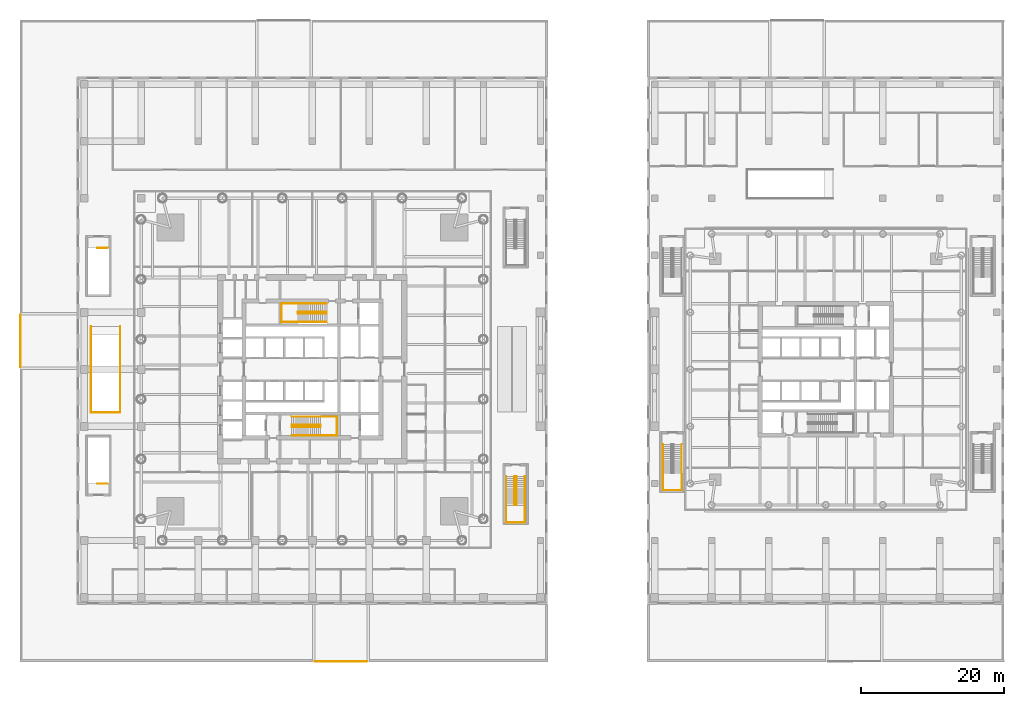
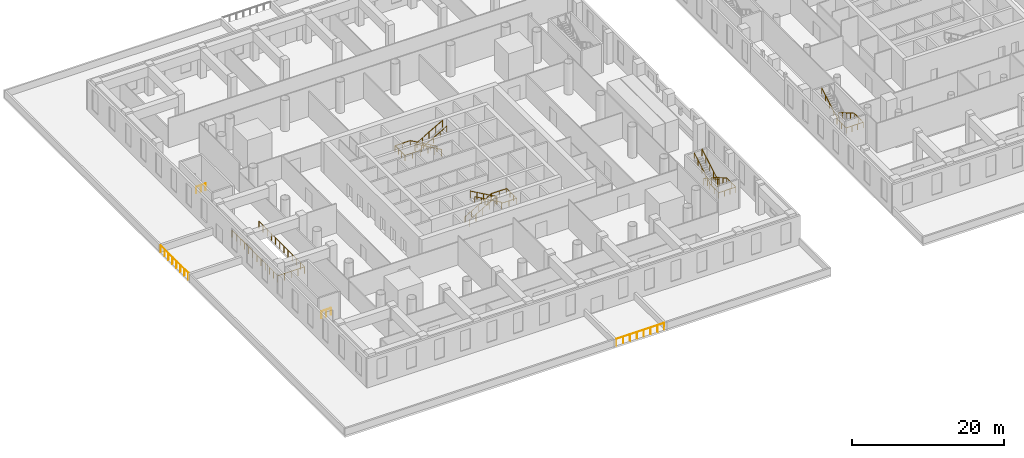
# One storey, part 23 of 26: 12 railings.
"""IFC4 building model written with IfcOpenShell, lengths in metres."""

from ifc_helpers import new_model, si_unit, direction, frame, origin, origin_2d, place, context, subcontext, project, spatial, circle, extrude, material, type_object, element, save


model = new_model("IFC4")

# Units and contexts
model_context = context("Model", 3, precision=1e-05, world=origin(), true_north=direction((0.0, 1.0)))
body_context = subcontext(model_context, "Body", "Model", "MODEL_VIEW")
ifc_project = project(units=[si_unit("LENGTHUNIT", "METRE"), si_unit("AREAUNIT", "SQUARE_METRE"), si_unit("VOLUMEUNIT", "CUBIC_METRE"), si_unit("PLANEANGLEUNIT", "RADIAN"), si_unit("MASSUNIT", "GRAM", prefix="KILO")], contexts=[model_context])

# Site, building, storey
site_placement = place(None, origin())
site = spatial("IfcSite", under=ifc_project, at=site_placement, CompositionType="ELEMENT")
building_placement = place(site_placement, origin())
building = spatial("IfcBuilding", under=site, at=building_placement, Name="Ostroluk Exchange", CompositionType="ELEMENT")
storey_placement = place(building_placement, frame((0.0, 0.0, 6.0)))
storey = spatial("IfcBuildingStorey", under=building, at=storey_placement, Name="L01", CompositionType="ELEMENT", Elevation=6.0)

# Railings
ifc_material_1 = material(Name="Laminated glass", Category="glass")
railing_type_1 = type_object("IfcRailingType", Name="Glass balustrade guard 1100", PredefinedType="BALUSTRADE", material=ifc_material_1)
railing_1_placement = place(storey_placement, frame((13.949951171875, 52.0, 0.0)))
element("IfcRailing", 1, at=railing_1_placement, inside=storey, type_object=railing_type_1, Name="Escalator ES2 opening guard", PredefinedType="BALUSTRADE", context=body_context, shape_type="SweptSolid", body=[
    extrude(circle(Radius=0.02392578125, at=origin_2d()), frame((0.0, 0.0, 1.076171875), z_axis=(0.0, -1.0, 0.0), x_axis=(1.0, 0.0, 0.0)), (0.0, 0.0, 1.0), 12.050048828125),
    extrude(circle(Radius=0.02392578125, at=origin_2d()), frame((0.0, -12.050048828125, 1.076171875), z_axis=(1.0, 0.0, 0.0), x_axis=(0.0, 1.0, 0.0)), (0.0, 0.0, 1.0), 4.10009765625),
    extrude(circle(Radius=0.02392578125, at=origin_2d()), frame((4.10009765625, -12.050048828125, 1.076171875), z_axis=(0.0, 1.0, 0.0), x_axis=(-1.0, 0.0, 0.0)), (0.0, 0.0, 1.0), 12.050048828125),
    extrude(circle(Radius=0.02099609375, at=origin_2d()), origin(), (0.0, 0.0, 1.0), 1.052001953125),
    extrude(circle(Radius=0.02099609375, at=origin_2d()), frame((0.0, -1.095458984375, 0.0)), (0.0, 0.0, 1.0), 1.052001953125),
    extrude(circle(Radius=0.02099609375, at=origin_2d()), frame((0.0, -2.19091796875, 0.0)), (0.0, 0.0, 1.0), 1.052001953125),
    extrude(circle(Radius=0.02099609375, at=origin_2d()), frame((0.0, -3.286376953125, 0.0)), (0.0, 0.0, 1.0), 1.052001953125),
    extrude(circle(Radius=0.02099609375, at=origin_2d()), frame((0.0, -4.3818359375, 0.0)), (0.0, 0.0, 1.0), 1.052001953125),
    extrude(circle(Radius=0.02099609375, at=origin_2d()), frame((0.0, -5.477294921875, 0.0)), (0.0, 0.0, 1.0), 1.052001953125),
    extrude(circle(Radius=0.02099609375, at=origin_2d()), frame((0.0, -6.57275390625, 0.0)), (0.0, 0.0, 1.0), 1.052001953125),
    extrude(circle(Radius=0.02099609375, at=origin_2d()), frame((0.0, -7.668212890625, 0.0)), (0.0, 0.0, 1.0), 1.052001953125),
    extrude(circle(Radius=0.02099609375, at=origin_2d()), frame((0.0, -8.763671875, 0.0)), (0.0, 0.0, 1.0), 1.052001953125),
    extrude(circle(Radius=0.02099609375, at=origin_2d()), frame((0.0, -9.859130859375, 0.0)), (0.0, 0.0, 1.0), 1.052001953125),
    extrude(circle(Radius=0.02099609375, at=origin_2d()), frame((0.0, -10.95458984375, 0.0)), (0.0, 0.0, 1.0), 1.052001953125),
    extrude(circle(Radius=0.02099609375, at=origin_2d()), frame((0.0, -12.050048828125, 0.0)), (0.0, 0.0, 1.0), 1.052001953125),
    extrude(circle(Radius=0.02099609375, at=origin_2d()), frame((1.02490234375, -12.050048828125, 0.0)), (0.0, 0.0, 1.0), 1.052001953125),
    extrude(circle(Radius=0.02099609375, at=origin_2d()), frame((2.050048828125, -12.050048828125, 0.0)), (0.0, 0.0, 1.0), 1.052001953125),
    extrude(circle(Radius=0.02099609375, at=origin_2d()), frame((3.0751953125, -12.050048828125, 0.0)), (0.0, 0.0, 1.0), 1.052001953125),
    extrude(circle(Radius=0.02099609375, at=origin_2d()), frame((4.10009765625, -12.050048828125, 0.0)), (0.0, 0.0, 1.0), 1.052001953125),
    extrude(circle(Radius=0.02099609375, at=origin_2d()), frame((4.10009765625, -10.95458984375, 0.0)), (0.0, 0.0, 1.0), 1.052001953125),
    extrude(circle(Radius=0.02099609375, at=origin_2d()), frame((4.10009765625, -9.859130859375, 0.0)), (0.0, 0.0, 1.0), 1.052001953125),
    extrude(circle(Radius=0.02099609375, at=origin_2d()), frame((4.10009765625, -8.763671875, 0.0)), (0.0, 0.0, 1.0), 1.052001953125),
    extrude(circle(Radius=0.02099609375, at=origin_2d()), frame((4.10009765625, -7.668212890625, 0.0)), (0.0, 0.0, 1.0), 1.052001953125),
    extrude(circle(Radius=0.02099609375, at=origin_2d()), frame((4.10009765625, -6.57275390625, 0.0)), (0.0, 0.0, 1.0), 1.052001953125),
    extrude(circle(Radius=0.02099609375, at=origin_2d()), frame((4.10009765625, -5.477294921875, 0.0)), (0.0, 0.0, 1.0), 1.052001953125),
    extrude(circle(Radius=0.02099609375, at=origin_2d()), frame((4.10009765625, -4.3818359375, 0.0)), (0.0, 0.0, 1.0), 1.052001953125),
    extrude(circle(Radius=0.02099609375, at=origin_2d()), frame((4.10009765625, -3.286376953125, 0.0)), (0.0, 0.0, 1.0), 1.052001953125),
    extrude(circle(Radius=0.02099609375, at=origin_2d()), frame((4.10009765625, -2.19091796875, 0.0)), (0.0, 0.0, 1.0), 1.052001953125),
    extrude(circle(Radius=0.02099609375, at=origin_2d()), frame((4.10009765625, -1.095458984375, 0.0)), (0.0, 0.0, 1.0), 1.052001953125),
    extrude(circle(Radius=0.02099609375, at=origin_2d()), frame((4.10009765625, 0.0, 0.0)), (0.0, 0.0, 1.0), 1.052001953125),
])
ifc_material_2 = material(Name="Stainless steel", Category="steel")
railing_type_2 = type_object("IfcRailingType", Name="Guard 1100 stainless steel", PredefinedType="GUARDRAIL", material=ifc_material_2)
railing_2_placement = place(storey_placement, frame((4.050048828125, 46.35205078125, 0.0)))
element("IfcRailing", 2, at=railing_2_placement, inside=storey, type_object=railing_type_2, Name="Terrace guard L01 1.1", PredefinedType="GUARDRAIL", context=body_context, shape_type="SweptSolid", body=[
    extrude(circle(Radius=0.02392578125, at=origin_2d()), frame((0.0, 0.0, 1.076171875), z_axis=(0.0, 1.0, 0.0), x_axis=(-1.0, 0.0, 0.0)), (0.0, 0.0, 1.0), 7.2958984375),
    extrude(circle(Radius=0.02099609375, at=origin_2d()), origin(), (0.0, 0.0, 1.0), 1.052001953125),
    extrude(circle(Radius=0.02099609375, at=origin_2d()), frame((0.0, 1.042236328125, 0.0)), (0.0, 0.0, 1.0), 1.052001953125),
    extrude(circle(Radius=0.02099609375, at=origin_2d()), frame((0.0, 2.08447265625, 0.0)), (0.0, 0.0, 1.0), 1.052001953125),
    extrude(circle(Radius=0.02099609375, at=origin_2d()), frame((0.0, 3.126708984375, 0.0)), (0.0, 0.0, 1.0), 1.052001953125),
    extrude(circle(Radius=0.02099609375, at=origin_2d()), frame((0.0, 4.169189453125, 0.0)), (0.0, 0.0, 1.0), 1.052001953125),
    extrude(circle(Radius=0.02099609375, at=origin_2d()), frame((0.0, 5.21142578125, 0.0)), (0.0, 0.0, 1.0), 1.052001953125),
    extrude(circle(Radius=0.02099609375, at=origin_2d()), frame((0.0, 6.253662109375, 0.0)), (0.0, 0.0, 1.0), 1.052001953125),
    extrude(circle(Radius=0.02099609375, at=origin_2d()), frame((0.0, 7.2958984375, 0.0)), (0.0, 0.0, 1.0), 1.052001953125),
])
railing_3_placement = place(storey_placement, frame((52.64794921875, 5.050048828125, 0.0)))
element("IfcRailing", 3, at=railing_3_placement, inside=storey, type_object=railing_type_2, Name="Terrace guard L01 1.1", PredefinedType="GUARDRAIL", context=body_context, shape_type="SweptSolid", body=[
    extrude(circle(Radius=0.02392578125, at=origin_2d()), frame((0.0, 0.0, 1.076171875), z_axis=(-1.0, 0.0, 0.0), x_axis=(0.0, -1.0, 0.0)), (0.0, 0.0, 1.0), 7.2958984375),
    extrude(circle(Radius=0.02099609375, at=origin_2d()), origin(), (0.0, 0.0, 1.0), 1.052001953125),
    extrude(circle(Radius=0.02099609375, at=origin_2d()), frame((-1.042236328125, 0.0, 0.0)), (0.0, 0.0, 1.0), 1.052001953125),
    extrude(circle(Radius=0.02099609375, at=origin_2d()), frame((-2.08447265625, 0.0, 0.0)), (0.0, 0.0, 1.0), 1.052001953125),
    extrude(circle(Radius=0.02099609375, at=origin_2d()), frame((-3.126708984375, 0.0, 0.0)), (0.0, 0.0, 1.0), 1.052001953125),
    extrude(circle(Radius=0.02099609375, at=origin_2d()), frame((-4.169189453125, 0.0, 0.0)), (0.0, 0.0, 1.0), 1.052001953125),
    extrude(circle(Radius=0.02099609375, at=origin_2d()), frame((-5.21142578125, 0.0, 0.0)), (0.0, 0.0, 1.0), 1.052001953125),
    extrude(circle(Radius=0.02099609375, at=origin_2d()), frame((-6.253662109375, 0.0, 0.0)), (0.0, 0.0, 1.0), 1.052001953125),
    extrude(circle(Radius=0.02099609375, at=origin_2d()), frame((-7.2958984375, 0.0, 0.0)), (0.0, 0.0, 1.0), 1.052001953125),
])
ifc_material_3 = material(Name="Steel S355", Category="steel")
railing_type_3 = type_object("IfcRailingType", Name="Stair guard 1100", PredefinedType="GUARDRAIL", material=ifc_material_3)
railing_4_placement = place(storey_placement, frame((42.10009765625, 38.179931640625, 0.166748046875)))
element("IfcRailing", 4, at=railing_4_placement, inside=storey, type_object=railing_type_3, Name="Stair T1-S1 guard L01", PredefinedType="GUARDRAIL", context=body_context, shape_type="SweptSolid", body=[
    extrude(circle(Radius=0.02392578125, at=origin_2d()), frame((0.0, 0.0, 1.076171875), z_axis=(0.86701161382, 0.0, 0.498287930319), x_axis=(0.0, 1.0, 0.0)), (0.0, 0.0, 1.0), 4.6826171875),
    extrude(circle(Radius=0.02392578125, at=origin_2d()), frame((4.059814453125, 0.0, 3.4091796875), z_axis=(0.0, -1.0, 0.0), x_axis=(1.0, 0.0, 0.0)), (0.0, 0.0, 1.0), 0.260009765625),
    extrude(circle(Radius=0.02392578125, at=origin_2d()), frame((4.059814453125, -0.260009765625, 3.4091796875), z_axis=(0.0, 0.0, 1.0), x_axis=(1.0, 0.0, 0.0)), (0.0, 0.0, 1.0), 0.166748046875),
    extrude(circle(Radius=0.02392578125, at=origin_2d()), frame((4.059814453125, -0.260009765625, 3.576171875), z_axis=(-0.86701161382, 0.0, 0.498287930319), x_axis=(0.0, -1.0, 0.0)), (0.0, 0.0, 1.0), 4.6826171875),
    extrude(circle(Radius=0.02099609375, at=origin_2d()), origin(), (0.0, 0.0, 1.0), 1.052001953125),
    extrude(circle(Radius=0.02099609375, at=origin_2d()), frame((1.014892578125, 0.0, 0.583251953125)), (0.0, 0.0, 1.0), 1.052001953125),
    extrude(circle(Radius=0.02099609375, at=origin_2d()), frame((2.02978515625, 0.0, 1.16650390625)), (0.0, 0.0, 1.0), 1.052001953125),
    extrude(circle(Radius=0.02099609375, at=origin_2d()), frame((3.044921875, 0.0, 1.75)), (0.0, 0.0, 1.0), 1.052001953125),
    extrude(circle(Radius=0.02099609375, at=origin_2d()), frame((4.059814453125, 0.0, 2.333251953125)), (0.0, 0.0, 1.0), 1.052001953125),
    extrude(circle(Radius=0.02099609375, at=origin_2d()), frame((4.059814453125, -0.260009765625, 2.333251953125)), (0.0, 0.0, 1.0), 1.052001953125),
    extrude(circle(Radius=0.02099609375, at=origin_2d()), frame((4.059814453125, -0.260009765625, 2.5)), (0.0, 0.0, 1.0), 1.052001953125),
    extrude(circle(Radius=0.02099609375, at=origin_2d()), frame((3.044921875, -0.260009765625, 3.083251953125)), (0.0, 0.0, 1.0), 1.052001953125),
    extrude(circle(Radius=0.02099609375, at=origin_2d()), frame((2.02978515625, -0.260009765625, 3.66650390625)), (0.0, 0.0, 1.0), 1.052001953125),
    extrude(circle(Radius=0.02099609375, at=origin_2d()), frame((1.014892578125, -0.260009765625, 4.25)), (0.0, 0.0, 1.0), 1.052001953125),
    extrude(circle(Radius=0.02099609375, at=origin_2d()), frame((0.0, -0.260009765625, 4.833251953125)), (0.0, 0.0, 1.0), 1.052001953125),
])
railing_5_placement = place(storey_placement, frame((47.030029296875, 54.080078125, 0.166748046875)))
element("IfcRailing", 5, at=railing_5_placement, inside=storey, type_object=railing_type_3, Name="Stair T1-S2 guard L01", PredefinedType="GUARDRAIL", context=body_context, shape_type="SweptSolid", body=[
    extrude(circle(Radius=0.02392578125, at=origin_2d()), frame((0.0, 0.0, 1.076171875), z_axis=(-0.867024558463, 0.0, 0.498265406207), x_axis=(0.0, -1.0, 0.0)), (0.0, 0.0, 1.0), 4.682861328125),
    extrude(circle(Radius=0.02392578125, at=origin_2d()), frame((-4.06005859375, 0.0, 3.4091796875), z_axis=(0.0, -1.0, 0.0), x_axis=(1.0, 0.0, 0.0)), (0.0, 0.0, 1.0), 0.260009765625),
    extrude(circle(Radius=0.02392578125, at=origin_2d()), frame((-4.06005859375, -0.260009765625, 3.4091796875), z_axis=(0.0, 0.0, 1.0), x_axis=(1.0, 0.0, 0.0)), (0.0, 0.0, 1.0), 0.166748046875),
    extrude(circle(Radius=0.02392578125, at=origin_2d()), frame((-4.06005859375, -0.260009765625, 3.576171875), z_axis=(0.867024558463, 0.0, 0.498265406207), x_axis=(0.0, 1.0, 0.0)), (0.0, 0.0, 1.0), 4.682861328125),
    extrude(circle(Radius=0.02099609375, at=origin_2d()), origin(), (0.0, 0.0, 1.0), 1.052001953125),
    extrude(circle(Radius=0.02099609375, at=origin_2d()), frame((-1.01513671875, 0.0, 0.583251953125)), (0.0, 0.0, 1.0), 1.052001953125),
    extrude(circle(Radius=0.02099609375, at=origin_2d()), frame((-2.030029296875, 0.0, 1.16650390625)), (0.0, 0.0, 1.0), 1.052001953125),
    extrude(circle(Radius=0.02099609375, at=origin_2d()), frame((-3.044921875, 0.0, 1.75)), (0.0, 0.0, 1.0), 1.052001953125),
    extrude(circle(Radius=0.02099609375, at=origin_2d()), frame((-4.06005859375, 0.0, 2.333251953125)), (0.0, 0.0, 1.0), 1.052001953125),
    extrude(circle(Radius=0.02099609375, at=origin_2d()), frame((-4.06005859375, -0.260009765625, 2.333251953125)), (0.0, 0.0, 1.0), 1.052001953125),
    extrude(circle(Radius=0.02099609375, at=origin_2d()), frame((-4.06005859375, -0.260009765625, 2.5)), (0.0, 0.0, 1.0), 1.052001953125),
    extrude(circle(Radius=0.02099609375, at=origin_2d()), frame((-3.044921875, -0.260009765625, 3.083251953125)), (0.0, 0.0, 1.0), 1.052001953125),
    extrude(circle(Radius=0.02099609375, at=origin_2d()), frame((-2.030029296875, -0.260009765625, 3.66650390625)), (0.0, 0.0, 1.0), 1.052001953125),
    extrude(circle(Radius=0.02099609375, at=origin_2d()), frame((-1.01513671875, -0.260009765625, 4.25)), (0.0, 0.0, 1.0), 1.052001953125),
    extrude(circle(Radius=0.02099609375, at=origin_2d()), frame((0.0, -0.260009765625, 4.833251953125)), (0.0, 0.0, 1.0), 1.052001953125),
])
for number, where, name in (
    (6, (16.300048828125, 29.969970703125, 0.0), "Stair PS1 well guard L01"),
    (7, (16.300048828125, 63.030029296875, 0.0), "Stair PS2 well guard L01"),
):
    element("IfcRailing", number, at=place(storey_placement, frame(where)), inside=storey, type_object=railing_type_3, Name=name, PredefinedType="GUARDRAIL", context=body_context, shape_type="SweptSolid", body=[
        extrude(circle(Radius=0.02392578125, at=origin_2d()), frame((0.0, 0.0, 1.076171875), z_axis=(-1.0, 0.0, 0.0), x_axis=(0.0, -1.0, 0.0)), (0.0, 0.0, 1.0), 1.429931640625),
        extrude(circle(Radius=0.02099609375, at=origin_2d()), origin(), (0.0, 0.0, 1.0), 1.052001953125),
        extrude(circle(Radius=0.02099609375, at=origin_2d()), frame((-0.71484375, 0.0, 0.0)), (0.0, 0.0, 1.0), 1.052001953125),
        extrude(circle(Radius=0.02099609375, at=origin_2d()), frame((-1.429931640625, 0.0, 0.0)), (0.0, 0.0, 1.0), 1.052001953125),
    ])
railing_6_placement = place(storey_placement, frame((73.6298828125, 31.0, 0.166748046875)))
element("IfcRailing", 8, at=railing_6_placement, inside=storey, type_object=railing_type_3, Name="Stair PS3 guard L01", PredefinedType="GUARDRAIL", context=body_context, shape_type="SweptSolid", body=[
    extrude(circle(Radius=0.02392578125, at=origin_2d()), frame((0.0, 0.0, 1.076171875), z_axis=(0.0, -0.867024558463, 0.498265406207), x_axis=(1.0, 0.0, 0.0)), (0.0, 0.0, 1.0), 4.682861328125),
    extrude(circle(Radius=0.02392578125, at=origin_2d()), frame((0.0, -4.06005859375, 3.4091796875), z_axis=(-1.0, 0.0, 0.0), x_axis=(0.0, -1.0, 0.0)), (0.0, 0.0, 1.0), 0.259765625),
    extrude(circle(Radius=0.02392578125, at=origin_2d()), frame((-0.259765625, -4.06005859375, 3.4091796875), z_axis=(0.0, 0.0, 1.0), x_axis=(1.0, 0.0, 0.0)), (0.0, 0.0, 1.0), 0.166748046875),
    extrude(circle(Radius=0.02392578125, at=origin_2d()), frame((-0.259765625, -4.06005859375, 3.576171875), z_axis=(0.0, 0.867024558463, 0.498265406207), x_axis=(-1.0, 0.0, 0.0)), (0.0, 0.0, 1.0), 4.682861328125),
    extrude(circle(Radius=0.02099609375, at=origin_2d()), origin(), (0.0, 0.0, 1.0), 1.052001953125),
    extrude(circle(Radius=0.02099609375, at=origin_2d()), frame((0.0, -1.01513671875, 0.583251953125)), (0.0, 0.0, 1.0), 1.052001953125),
    extrude(circle(Radius=0.02099609375, at=origin_2d()), frame((0.0, -2.030029296875, 1.16650390625)), (0.0, 0.0, 1.0), 1.052001953125),
    extrude(circle(Radius=0.02099609375, at=origin_2d()), frame((0.0, -3.044921875, 1.75)), (0.0, 0.0, 1.0), 1.052001953125),
    extrude(circle(Radius=0.02099609375, at=origin_2d()), frame((0.0, -4.06005859375, 2.333251953125)), (0.0, 0.0, 1.0), 1.052001953125),
    extrude(circle(Radius=0.02099609375, at=origin_2d()), frame((-0.259765625, -4.06005859375, 2.333251953125)), (0.0, 0.0, 1.0), 1.052001953125),
    extrude(circle(Radius=0.02099609375, at=origin_2d()), frame((-0.259765625, -4.06005859375, 2.5)), (0.0, 0.0, 1.0), 1.052001953125),
    extrude(circle(Radius=0.02099609375, at=origin_2d()), frame((-0.259765625, -3.044921875, 3.083251953125)), (0.0, 0.0, 1.0), 1.052001953125),
    extrude(circle(Radius=0.02099609375, at=origin_2d()), frame((-0.259765625, -2.030029296875, 3.66650390625)), (0.0, 0.0, 1.0), 1.052001953125),
    extrude(circle(Radius=0.02099609375, at=origin_2d()), frame((-0.259765625, -1.01513671875, 4.25)), (0.0, 0.0, 1.0), 1.052001953125),
    extrude(circle(Radius=0.02099609375, at=origin_2d()), frame((-0.259765625, 0.0, 4.833251953125)), (0.0, 0.0, 1.0), 1.052001953125),
])
ifc_material_4 = material(Name="Stainless steel", Category="steel")
railing_type_4 = type_object("IfcRailingType", Name="Stair handrail 900", PredefinedType="HANDRAIL", material=ifc_material_4)
railing_7_placement = place(storey_placement, frame((42.10009765625, 39.35009765625, 0.166748046875)))
element("IfcRailing", 9, at=railing_7_placement, inside=storey, type_object=railing_type_4, Name="Stair T1-S1 handrail L01", PredefinedType="HANDRAIL", context=body_context, shape_type="SweptSolid", body=[
    extrude(circle(Radius=0.02392578125, at=origin_2d()), frame((0.0, 0.0, 0.8759765625), z_axis=(0.86701161382, 0.0, 0.498287930319), x_axis=(0.0, 1.0, 0.0)), (0.0, 0.0, 1.0), 4.6826171875),
    extrude(circle(Radius=0.02392578125, at=origin_2d()), frame((4.059814453125, 0.0, 3.208984375), z_axis=(1.0, 0.0, 0.0), x_axis=(0.0, 1.0, 0.0)), (0.0, 0.0, 1.0), 2.320068359375),
    extrude(circle(Radius=0.02392578125, at=origin_2d()), frame((6.3798828125, 0.0, 3.208984375), z_axis=(0.0, -1.0, 0.0), x_axis=(1.0, 0.0, 0.0)), (0.0, 0.0, 1.0), 2.60009765625),
    extrude(circle(Radius=0.02392578125, at=origin_2d()), frame((6.3798828125, -2.60009765625, 3.208984375), z_axis=(-1.0, 0.0, 0.0), x_axis=(0.0, -1.0, 0.0)), (0.0, 0.0, 1.0), 2.320068359375),
    extrude(circle(Radius=0.02392578125, at=origin_2d()), frame((4.059814453125, -2.60009765625, 3.208984375), z_axis=(0.0, 0.0, 1.0), x_axis=(1.0, 0.0, 0.0)), (0.0, 0.0, 1.0), 0.166748046875),
    extrude(circle(Radius=0.02392578125, at=origin_2d()), frame((4.059814453125, -2.60009765625, 3.3759765625), z_axis=(-0.86701161382, 0.0, 0.498287930319), x_axis=(0.0, -1.0, 0.0)), (0.0, 0.0, 1.0), 4.6826171875),
    extrude(circle(Radius=0.02099609375, at=origin_2d()), origin(), (0.0, 0.0, 1.0), 0.851806640625),
    extrude(circle(Radius=0.02099609375, at=origin_2d()), frame((1.014892578125, 0.0, 0.583251953125)), (0.0, 0.0, 1.0), 0.851806640625),
    extrude(circle(Radius=0.02099609375, at=origin_2d()), frame((2.02978515625, 0.0, 1.16650390625)), (0.0, 0.0, 1.0), 0.851806640625),
    extrude(circle(Radius=0.02099609375, at=origin_2d()), frame((3.044921875, 0.0, 1.75)), (0.0, 0.0, 1.0), 0.851806640625),
    extrude(circle(Radius=0.02099609375, at=origin_2d()), frame((4.059814453125, 0.0, 2.333251953125)), (0.0, 0.0, 1.0), 0.851806640625),
    extrude(circle(Radius=0.02099609375, at=origin_2d()), frame((5.2197265625, 0.0, 2.333251953125)), (0.0, 0.0, 1.0), 0.851806640625),
    extrude(circle(Radius=0.02099609375, at=origin_2d()), frame((6.3798828125, 0.0, 2.333251953125)), (0.0, 0.0, 1.0), 0.851806640625),
    extrude(circle(Radius=0.02099609375, at=origin_2d()), frame((6.3798828125, -0.86669921875, 2.333251953125)), (0.0, 0.0, 1.0), 0.851806640625),
    extrude(circle(Radius=0.02099609375, at=origin_2d()), frame((6.3798828125, -1.7333984375, 2.333251953125)), (0.0, 0.0, 1.0), 0.851806640625),
    extrude(circle(Radius=0.02099609375, at=origin_2d()), frame((6.3798828125, -2.60009765625, 2.333251953125)), (0.0, 0.0, 1.0), 0.851806640625),
    extrude(circle(Radius=0.02099609375, at=origin_2d()), frame((5.2197265625, -2.60009765625, 2.333251953125)), (0.0, 0.0, 1.0), 0.851806640625),
    extrude(circle(Radius=0.02099609375, at=origin_2d()), frame((4.059814453125, -2.60009765625, 2.333251953125)), (0.0, 0.0, 1.0), 0.851806640625),
    extrude(circle(Radius=0.02099609375, at=origin_2d()), frame((4.059814453125, -2.60009765625, 2.5)), (0.0, 0.0, 1.0), 0.851806640625),
    extrude(circle(Radius=0.02099609375, at=origin_2d()), frame((3.044921875, -2.60009765625, 3.083251953125)), (0.0, 0.0, 1.0), 0.851806640625),
    extrude(circle(Radius=0.02099609375, at=origin_2d()), frame((2.02978515625, -2.60009765625, 3.66650390625)), (0.0, 0.0, 1.0), 0.851806640625),
    extrude(circle(Radius=0.02099609375, at=origin_2d()), frame((1.014892578125, -2.60009765625, 4.25)), (0.0, 0.0, 1.0), 0.851806640625),
    extrude(circle(Radius=0.02099609375, at=origin_2d()), frame((0.0, -2.60009765625, 4.833251953125)), (0.0, 0.0, 1.0), 0.851806640625),
])
railing_8_placement = place(storey_placement, frame((47.030029296875, 55.25, 0.166748046875)))
element("IfcRailing", 10, at=railing_8_placement, inside=storey, type_object=railing_type_4, Name="Stair T1-S2 handrail L01", PredefinedType="HANDRAIL", context=body_context, shape_type="SweptSolid", body=[
    extrude(circle(Radius=0.02392578125, at=origin_2d()), frame((0.0, 0.0, 0.8759765625), z_axis=(-0.867024558463, 0.0, 0.498265406207), x_axis=(0.0, -1.0, 0.0)), (0.0, 0.0, 1.0), 4.682861328125),
    extrude(circle(Radius=0.02392578125, at=origin_2d()), frame((-4.06005859375, 0.0, 3.208984375), z_axis=(-1.0, 0.0, 0.0), x_axis=(0.0, -1.0, 0.0)), (0.0, 0.0, 1.0), 2.320068359375),
    extrude(circle(Radius=0.02392578125, at=origin_2d()), frame((-6.380126953125, 0.0, 3.208984375), z_axis=(0.0, -1.0, 0.0), x_axis=(1.0, 0.0, 0.0)), (0.0, 0.0, 1.0), 2.60009765625),
    extrude(circle(Radius=0.02392578125, at=origin_2d()), frame((-6.380126953125, -2.60009765625, 3.208984375), z_axis=(1.0, 0.0, 0.0), x_axis=(0.0, 1.0, 0.0)), (0.0, 0.0, 1.0), 2.320068359375),
    extrude(circle(Radius=0.02392578125, at=origin_2d()), frame((-4.06005859375, -2.60009765625, 3.208984375), z_axis=(0.0, 0.0, 1.0), x_axis=(1.0, 0.0, 0.0)), (0.0, 0.0, 1.0), 0.166748046875),
    extrude(circle(Radius=0.02392578125, at=origin_2d()), frame((-4.06005859375, -2.60009765625, 3.3759765625), z_axis=(0.867024558463, 0.0, 0.498265406207), x_axis=(0.0, 1.0, 0.0)), (0.0, 0.0, 1.0), 4.682861328125),
    extrude(circle(Radius=0.02099609375, at=origin_2d()), origin(), (0.0, 0.0, 1.0), 0.851806640625),
    extrude(circle(Radius=0.02099609375, at=origin_2d()), frame((-1.01513671875, 0.0, 0.583251953125)), (0.0, 0.0, 1.0), 0.851806640625),
    extrude(circle(Radius=0.02099609375, at=origin_2d()), frame((-2.030029296875, 0.0, 1.16650390625)), (0.0, 0.0, 1.0), 0.851806640625),
    extrude(circle(Radius=0.02099609375, at=origin_2d()), frame((-3.044921875, 0.0, 1.75)), (0.0, 0.0, 1.0), 0.851806640625),
    extrude(circle(Radius=0.02099609375, at=origin_2d()), frame((-4.06005859375, 0.0, 2.333251953125)), (0.0, 0.0, 1.0), 0.851806640625),
    extrude(circle(Radius=0.02099609375, at=origin_2d()), frame((-5.22021484375, 0.0, 2.333251953125)), (0.0, 0.0, 1.0), 0.851806640625),
    extrude(circle(Radius=0.02099609375, at=origin_2d()), frame((-6.380126953125, 0.0, 2.333251953125)), (0.0, 0.0, 1.0), 0.851806640625),
    extrude(circle(Radius=0.02099609375, at=origin_2d()), frame((-6.380126953125, -0.86669921875, 2.333251953125)), (0.0, 0.0, 1.0), 0.851806640625),
    extrude(circle(Radius=0.02099609375, at=origin_2d()), frame((-6.380126953125, -1.7333984375, 2.333251953125)), (0.0, 0.0, 1.0), 0.851806640625),
    extrude(circle(Radius=0.02099609375, at=origin_2d()), frame((-6.380126953125, -2.60009765625, 2.333251953125)), (0.0, 0.0, 1.0), 0.851806640625),
    extrude(circle(Radius=0.02099609375, at=origin_2d()), frame((-5.22021484375, -2.60009765625, 2.333251953125)), (0.0, 0.0, 1.0), 0.851806640625),
    extrude(circle(Radius=0.02099609375, at=origin_2d()), frame((-4.06005859375, -2.60009765625, 2.333251953125)), (0.0, 0.0, 1.0), 0.851806640625),
    extrude(circle(Radius=0.02099609375, at=origin_2d()), frame((-4.06005859375, -2.60009765625, 2.5)), (0.0, 0.0, 1.0), 0.851806640625),
    extrude(circle(Radius=0.02099609375, at=origin_2d()), frame((-3.044921875, -2.60009765625, 3.083251953125)), (0.0, 0.0, 1.0), 0.851806640625),
    extrude(circle(Radius=0.02099609375, at=origin_2d()), frame((-2.030029296875, -2.60009765625, 3.66650390625)), (0.0, 0.0, 1.0), 0.851806640625),
    extrude(circle(Radius=0.02099609375, at=origin_2d()), frame((-1.01513671875, -2.60009765625, 4.25)), (0.0, 0.0, 1.0), 0.851806640625),
    extrude(circle(Radius=0.02099609375, at=origin_2d()), frame((0.0, -2.60009765625, 4.833251953125)), (0.0, 0.0, 1.0), 0.851806640625),
])
railing_9_placement = place(storey_placement, frame((74.800048828125, 31.0, 0.166748046875)))
element("IfcRailing", 11, at=railing_9_placement, inside=storey, type_object=railing_type_4, Name="Stair PS3 handrail L01", PredefinedType="HANDRAIL", context=body_context, shape_type="SweptSolid", body=[
    extrude(circle(Radius=0.02392578125, at=origin_2d()), frame((0.0, 0.0, 0.8759765625), z_axis=(0.0, -0.867024558463, 0.498265406207), x_axis=(1.0, 0.0, 0.0)), (0.0, 0.0, 1.0), 4.682861328125),
    extrude(circle(Radius=0.02392578125, at=origin_2d()), frame((0.0, -4.06005859375, 3.208984375), z_axis=(0.0, -1.0, 0.0), x_axis=(1.0, 0.0, 0.0)), (0.0, 0.0, 1.0), 2.389892578125),
    extrude(circle(Radius=0.02392578125, at=origin_2d()), frame((0.0, -6.449951171875, 3.208984375), z_axis=(-1.0, 0.0, 0.0), x_axis=(0.0, -1.0, 0.0)), (0.0, 0.0, 1.0), 2.60009765625),
    extrude(circle(Radius=0.02392578125, at=origin_2d()), frame((-2.60009765625, -6.449951171875, 3.208984375), z_axis=(0.0, 1.0, 0.0), x_axis=(-1.0, 0.0, 0.0)), (0.0, 0.0, 1.0), 2.389892578125),
    extrude(circle(Radius=0.02392578125, at=origin_2d()), frame((-2.60009765625, -4.06005859375, 3.208984375), z_axis=(0.0, 0.0, 1.0), x_axis=(1.0, 0.0, 0.0)), (0.0, 0.0, 1.0), 0.166748046875),
    extrude(circle(Radius=0.02392578125, at=origin_2d()), frame((-2.60009765625, -4.06005859375, 3.3759765625), z_axis=(0.0, 0.867024558463, 0.498265406207), x_axis=(-1.0, 0.0, 0.0)), (0.0, 0.0, 1.0), 4.682861328125),
    extrude(circle(Radius=0.02099609375, at=origin_2d()), origin(), (0.0, 0.0, 1.0), 0.851806640625),
    extrude(circle(Radius=0.02099609375, at=origin_2d()), frame((0.0, -1.01513671875, 0.583251953125)), (0.0, 0.0, 1.0), 0.851806640625),
    extrude(circle(Radius=0.02099609375, at=origin_2d()), frame((0.0, -2.030029296875, 1.16650390625)), (0.0, 0.0, 1.0), 0.851806640625),
    extrude(circle(Radius=0.02099609375, at=origin_2d()), frame((0.0, -3.044921875, 1.75)), (0.0, 0.0, 1.0), 0.851806640625),
    extrude(circle(Radius=0.02099609375, at=origin_2d()), frame((0.0, -4.06005859375, 2.333251953125)), (0.0, 0.0, 1.0), 0.851806640625),
    extrude(circle(Radius=0.02099609375, at=origin_2d()), frame((0.0, -5.2548828125, 2.333251953125)), (0.0, 0.0, 1.0), 0.851806640625),
    extrude(circle(Radius=0.02099609375, at=origin_2d()), frame((0.0, -6.449951171875, 2.333251953125)), (0.0, 0.0, 1.0), 0.851806640625),
    extrude(circle(Radius=0.02099609375, at=origin_2d()), frame((-0.86669921875, -6.449951171875, 2.333251953125)), (0.0, 0.0, 1.0), 0.851806640625),
    extrude(circle(Radius=0.02099609375, at=origin_2d()), frame((-1.7333984375, -6.449951171875, 2.333251953125)), (0.0, 0.0, 1.0), 0.851806640625),
    extrude(circle(Radius=0.02099609375, at=origin_2d()), frame((-2.60009765625, -6.449951171875, 2.333251953125)), (0.0, 0.0, 1.0), 0.851806640625),
    extrude(circle(Radius=0.02099609375, at=origin_2d()), frame((-2.60009765625, -5.2548828125, 2.333251953125)), (0.0, 0.0, 1.0), 0.851806640625),
    extrude(circle(Radius=0.02099609375, at=origin_2d()), frame((-2.60009765625, -4.06005859375, 2.333251953125)), (0.0, 0.0, 1.0), 0.851806640625),
    extrude(circle(Radius=0.02099609375, at=origin_2d()), frame((-2.60009765625, -4.06005859375, 2.5)), (0.0, 0.0, 1.0), 0.851806640625),
    extrude(circle(Radius=0.02099609375, at=origin_2d()), frame((-2.60009765625, -3.044921875, 3.083251953125)), (0.0, 0.0, 1.0), 0.851806640625),
    extrude(circle(Radius=0.02099609375, at=origin_2d()), frame((-2.60009765625, -2.030029296875, 3.66650390625)), (0.0, 0.0, 1.0), 0.851806640625),
    extrude(circle(Radius=0.02099609375, at=origin_2d()), frame((-2.60009765625, -1.01513671875, 4.25)), (0.0, 0.0, 1.0), 0.851806640625),
    extrude(circle(Radius=0.02099609375, at=origin_2d()), frame((-2.60009765625, 0.0, 4.833251953125)), (0.0, 0.0, 1.0), 0.851806640625),
])
railing_10_placement = place(storey_placement, frame((96.800048828125, 35.5, 0.166748046875)))
element("IfcRailing", 12, at=railing_10_placement, inside=storey, type_object=railing_type_4, Name="Stair PS5 handrail L01", PredefinedType="HANDRAIL", context=body_context, shape_type="SweptSolid", body=[
    extrude(circle(Radius=0.02392578125, at=origin_2d()), frame((0.0, 0.0, 0.8759765625), z_axis=(0.0, -0.867024558463, 0.498265406207), x_axis=(1.0, 0.0, 0.0)), (0.0, 0.0, 1.0), 4.682861328125),
    extrude(circle(Radius=0.02392578125, at=origin_2d()), frame((0.0, -4.06005859375, 3.208984375), z_axis=(0.0, -1.0, 0.0), x_axis=(1.0, 0.0, 0.0)), (0.0, 0.0, 1.0), 2.389892578125),
    extrude(circle(Radius=0.02392578125, at=origin_2d()), frame((0.0, -6.449951171875, 3.208984375), z_axis=(-1.0, 0.0, 0.0), x_axis=(0.0, -1.0, 0.0)), (0.0, 0.0, 1.0), 2.60009765625),
    extrude(circle(Radius=0.02392578125, at=origin_2d()), frame((-2.60009765625, -6.449951171875, 3.208984375), z_axis=(0.0, 1.0, 0.0), x_axis=(-1.0, 0.0, 0.0)), (0.0, 0.0, 1.0), 2.389892578125),
    extrude(circle(Radius=0.02392578125, at=origin_2d()), frame((-2.60009765625, -4.06005859375, 3.208984375), z_axis=(0.0, 0.0, 1.0), x_axis=(1.0, 0.0, 0.0)), (0.0, 0.0, 1.0), 0.166748046875),
    extrude(circle(Radius=0.02392578125, at=origin_2d()), frame((-2.60009765625, -4.06005859375, 3.3759765625), z_axis=(0.0, 0.867024558463, 0.498265406207), x_axis=(-1.0, 0.0, 0.0)), (0.0, 0.0, 1.0), 4.682861328125),
    extrude(circle(Radius=0.02099609375, at=origin_2d()), origin(), (0.0, 0.0, 1.0), 0.851806640625),
    extrude(circle(Radius=0.02099609375, at=origin_2d()), frame((0.0, -1.01513671875, 0.583251953125)), (0.0, 0.0, 1.0), 0.851806640625),
    extrude(circle(Radius=0.02099609375, at=origin_2d()), frame((0.0, -2.030029296875, 1.16650390625)), (0.0, 0.0, 1.0), 0.851806640625),
    extrude(circle(Radius=0.02099609375, at=origin_2d()), frame((0.0, -3.044921875, 1.75)), (0.0, 0.0, 1.0), 0.851806640625),
    extrude(circle(Radius=0.02099609375, at=origin_2d()), frame((0.0, -4.06005859375, 2.333251953125)), (0.0, 0.0, 1.0), 0.851806640625),
    extrude(circle(Radius=0.02099609375, at=origin_2d()), frame((0.0, -5.2548828125, 2.333251953125)), (0.0, 0.0, 1.0), 0.851806640625),
    extrude(circle(Radius=0.02099609375, at=origin_2d()), frame((0.0, -6.449951171875, 2.333251953125)), (0.0, 0.0, 1.0), 0.851806640625),
    extrude(circle(Radius=0.02099609375, at=origin_2d()), frame((-0.86669921875, -6.449951171875, 2.333251953125)), (0.0, 0.0, 1.0), 0.851806640625),
    extrude(circle(Radius=0.02099609375, at=origin_2d()), frame((-1.7333984375, -6.449951171875, 2.333251953125)), (0.0, 0.0, 1.0), 0.851806640625),
    extrude(circle(Radius=0.02099609375, at=origin_2d()), frame((-2.60009765625, -6.449951171875, 2.333251953125)), (0.0, 0.0, 1.0), 0.851806640625),
    extrude(circle(Radius=0.02099609375, at=origin_2d()), frame((-2.60009765625, -5.2548828125, 2.333251953125)), (0.0, 0.0, 1.0), 0.851806640625),
    extrude(circle(Radius=0.02099609375, at=origin_2d()), frame((-2.60009765625, -4.06005859375, 2.333251953125)), (0.0, 0.0, 1.0), 0.851806640625),
    extrude(circle(Radius=0.02099609375, at=origin_2d()), frame((-2.60009765625, -4.06005859375, 2.5)), (0.0, 0.0, 1.0), 0.851806640625),
    extrude(circle(Radius=0.02099609375, at=origin_2d()), frame((-2.60009765625, -3.044921875, 3.083251953125)), (0.0, 0.0, 1.0), 0.851806640625),
    extrude(circle(Radius=0.02099609375, at=origin_2d()), frame((-2.60009765625, -2.030029296875, 3.66650390625)), (0.0, 0.0, 1.0), 0.851806640625),
    extrude(circle(Radius=0.02099609375, at=origin_2d()), frame((-2.60009765625, -1.01513671875, 4.25)), (0.0, 0.0, 1.0), 0.851806640625),
    extrude(circle(Radius=0.02099609375, at=origin_2d()), frame((-2.60009765625, 0.0, 4.833251953125)), (0.0, 0.0, 1.0), 0.851806640625),
])

save(model, "model.ifc")
